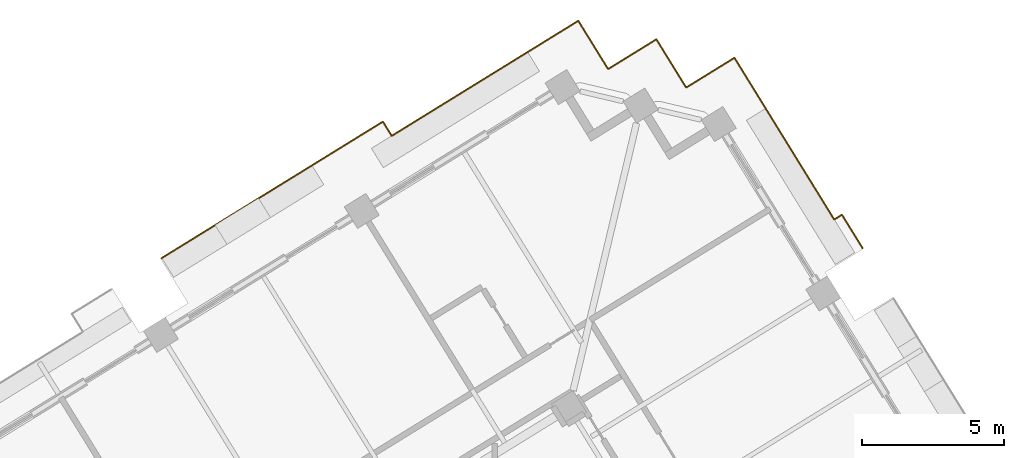
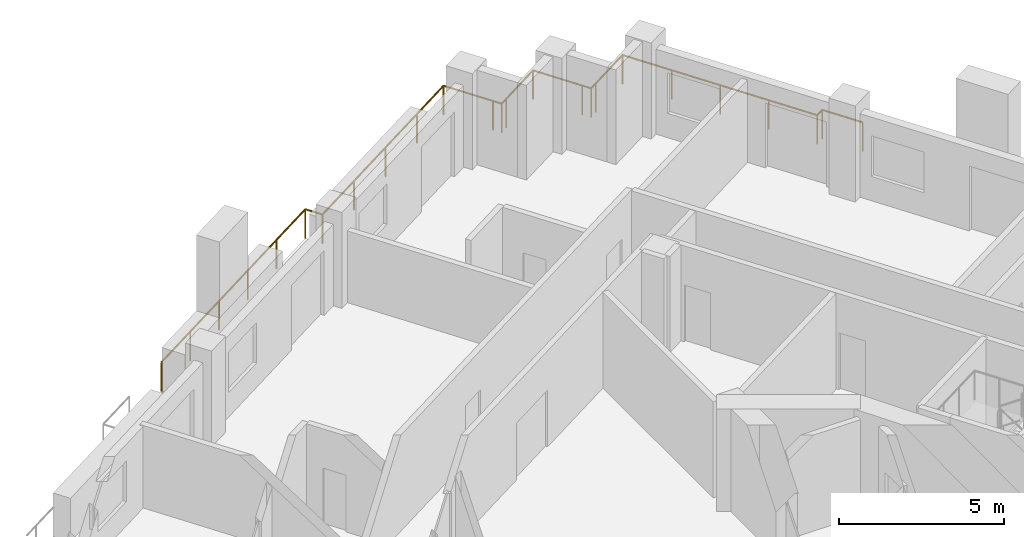
# One storey, part 21 of 22: 2 railings.
"""IFC4 building model written with IfcOpenShell, lengths in metres."""

import ifcopenshell
import ifcopenshell.guid

model = None  # the IFC model being written
_history = None  # IfcOwnerHistory: only IFC2X3 demands one
_inside = {}  # id of a spatial element -> (the spatial element, [elements in it])
_under = {}  # id of a project, library or spatial element -> (it, [spatial elements below it])
_declared = {}  # id of a project -> (the project, [libraries it declares])
_typed = {}  # id of a type object -> (the type object, [elements of that type])
_made_of = {}  # id of a material, layer set ... -> (it, [elements and type objects made of it])


def new_model(schema):
    """Start an empty IFC model of exactly this schema.

    Asked for "IFC4X3", IfcOpenShell would pick the latest addendum, in which some entities
    have other attributes; the version numbers below select the first issue.
    IFC2X3 requires an IfcOwnerHistory on every rooted entity: one is made here for all.
    """
    global model, _history
    if schema == "IFC4X3":
        model = ifcopenshell.file(schema_version=(4, 3, 0, 0))
    else:
        model = ifcopenshell.file(schema=schema)
    _inside.clear()
    _under.clear()
    _declared.clear()
    _typed.clear()
    _made_of.clear()
    _history = None
    if model.schema == "IFC2X3":
        org = make("IfcOrganization", Name="unknown")
        user = make(
            "IfcPersonAndOrganization",
            ThePerson=make("IfcPerson", FamilyName="unknown"),
            TheOrganization=org,
        )
        app = make(
            "IfcApplication",
            ApplicationDeveloper=org,
            Version="unknown",
            ApplicationFullName="unknown",
            ApplicationIdentifier="unknown",
        )
        _history = make(
            "IfcOwnerHistory",
            OwningUser=user,
            OwningApplication=app,
            ChangeAction="ADDED",
            CreationDate=0,
        )
    return model


def make(cls, **values):
    """One entity of the class cls with the attributes given. An attribute that is None is left unset."""
    return model.create_entity(
        cls, **{name: value for name, value in values.items() if value is not None}
    )


def rooted(cls, **values):
    """An entity with a GlobalId (a new one), such as an element, a storey or a relation."""
    return make(cls, GlobalId=ifcopenshell.guid.new(), OwnerHistory=_history, **values)


def si_unit(unit_type, name, prefix=None):
    """IfcSIUnit, for example si_unit("LENGTHUNIT", "METRE", prefix="MILLI")."""
    return make("IfcSIUnit", UnitType=unit_type, Prefix=prefix, Name=name)


def assignment(units):
    """IfcUnitAssignment: the units of a project."""
    return None if units is None else make("IfcUnitAssignment", Units=units)


def point(xyz):
    """IfcCartesianPoint."""
    return None if xyz is None else make("IfcCartesianPoint", Coordinates=xyz)


def direction(xyz):
    """IfcDirection."""
    return None if xyz is None else make("IfcDirection", DirectionRatios=xyz)


def frame(location, z_axis=None, x_axis=None):
    """IfcAxis2Placement3D, a coordinate frame: its origin and axes. An axis left out is left unset."""
    return make(
        "IfcAxis2Placement3D",
        Location=point(location),
        Axis=direction(z_axis),
        RefDirection=direction(x_axis),
    )


def frame_2d(location, x_axis=None):
    """IfcAxis2Placement2D, a coordinate frame in the plane: its origin and x axis."""
    return make(
        "IfcAxis2Placement2D", Location=point(location), RefDirection=direction(x_axis)
    )


def origin():
    """The frame at (0, 0, 0) with its axes left unset."""
    return frame((0.0, 0.0, 0.0))


def origin_2d():
    """The frame at (0, 0) in the plane with its x axis left unset."""
    return frame_2d((0.0, 0.0))


def place(relative_to, where):
    """IfcLocalPlacement: puts the frame where relative to a parent placement (None: the world)."""
    return make(
        "IfcLocalPlacement", PlacementRelTo=relative_to, RelativePlacement=where
    )


def context(
    kind, dimensions, precision=None, world=None, true_north=None, identifier=None
):
    """IfcGeometricRepresentationContext, for example the 3D "Model" context."""
    return make(
        "IfcGeometricRepresentationContext",
        ContextIdentifier=identifier,
        ContextType=kind,
        CoordinateSpaceDimension=dimensions,
        Precision=precision,
        WorldCoordinateSystem=world,
        TrueNorth=true_north,
    )


def subcontext(parent, identifier, kind, view, scale=None):
    """IfcGeometricRepresentationSubContext, for example "Body" below "Model"."""
    return make(
        "IfcGeometricRepresentationSubContext",
        ContextIdentifier=identifier,
        ContextType=kind,
        ParentContext=parent,
        TargetScale=scale,
        TargetView=view,
    )


def project(units=None, contexts=None):
    """IfcProject with its units and contexts."""
    return rooted(
        "IfcProject",
        Name="project",
        RepresentationContexts=contexts,
        UnitsInContext=assignment(units),
    )


def spatial(cls, under=None, at=None, **own):
    """A site, building, storey or space (cls), placed at a placement, below another one or the project."""
    s = rooted(cls, ObjectPlacement=at, **own)
    if under is not None:
        _under.setdefault(under.id(), (under, []))[1].append(s)
    return s


def profile(cls, at=None, kind="AREA", **sizes):
    """A parametric profile (cls). Its sizes go by their IFC names, for example OverallWidth=200.0."""
    return make(cls, ProfileType=kind, Position=at, **sizes)


def circle(**sizes):
    """IfcCircleProfileDef."""
    return profile("IfcCircleProfileDef", **sizes)


def extrude(swept, where, along, depth):
    """IfcExtrudedAreaSolid: the profile swept, set in the frame where, extruded along a direction by depth."""
    return make(
        "IfcExtrudedAreaSolid",
        SweptArea=swept,
        Position=where,
        ExtrudedDirection=direction(along),
        Depth=depth,
    )


def shape(context_of_items, identifier, shape_type, items):
    """IfcShapeRepresentation: the items that make up one representation, for example the "Body"."""
    return make(
        "IfcShapeRepresentation",
        ContextOfItems=context_of_items,
        RepresentationIdentifier=identifier,
        RepresentationType=shape_type,
        Items=items,
    )


def material(Name=None, Category=None):
    """IfcMaterial."""
    return make("IfcMaterial", Name=Name, Category=Category)


def made_of(thing, what):
    """Note that an element or type object is made of a material, layer set ...; save() writes the relation."""
    if what is not None:
        _made_of.setdefault(what.id(), (what, []))[1].append(thing)
    return thing


def type_object(cls, material=None, **own):
    """A type object (cls), such as IfcWallType, which elements share."""
    return made_of(rooted(cls, **own), material)


def element(
    cls,
    number,
    at=None,
    inside=None,
    cuts=None,
    type_object=None,
    material=None,
    context=None,
    identifier="Body",
    shape_type=None,
    held_by="IfcProductDefinitionShape",
    body=None,
    shapes=None,
    **own,
):
    """One element of the class cls, such as IfcWall. Its Tag is "e" and its number.

    at: its placement. inside: the storey or other place that contains it. cuts: it is an
    opening in that element (IfcRelVoidsElement). A single representation is given by context,
    identifier, shape_type and body (its items); several are given by shapes. held_by: the class
    of the entity that holds the representations. save() writes the other relations.
    """
    e = rooted(cls, Tag="e%d" % number, ObjectPlacement=at, **own)
    if body is not None:
        shapes = [shape(context, identifier, shape_type, body)]
    if shapes is not None:
        e.Representation = make(held_by, Representations=shapes)
    if inside is not None:
        _inside.setdefault(inside.id(), (inside, []))[1].append(e)
    if cuts is not None:
        rooted(
            "IfcRelVoidsElement", RelatingBuildingElement=cuts, RelatedOpeningElement=e
        )
    if type_object is not None:
        _typed.setdefault(type_object.id(), (type_object, []))[1].append(e)
    return made_of(e, material)


def aggregate(whole, parts):
    """IfcRelAggregates: a whole, such as a stair, and the parts it consists of."""
    return rooted("IfcRelAggregates", RelatingObject=whole, RelatedObjects=parts)


def save(model, path):
    """Write the relations noted so far, then the file.

    IfcRelAggregates (storeys below a building ...), IfcRelContainedInSpatialStructure (elements
    in a storey), IfcRelDefinesByType, IfcRelAssociatesMaterial and IfcRelDeclares: one each for
    every whole, place, type object, material and project.
    """
    for whole, parts in _under.values():
        aggregate(whole, parts)
    for where, things in _inside.values():
        rooted(
            "IfcRelContainedInSpatialStructure",
            RelatedElements=things,
            RelatingStructure=where,
        )
    for kind, things in _typed.values():
        rooted("IfcRelDefinesByType", RelatedObjects=things, RelatingType=kind)
    for what, things in _made_of.values():
        rooted("IfcRelAssociatesMaterial", RelatedObjects=things, RelatingMaterial=what)
    for by, libraries in _declared.values():
        rooted("IfcRelDeclares", RelatingContext=by, RelatedDefinitions=libraries)
    model.write(path)


model = new_model("IFC4")

# Units and contexts
model_context = context("Model", 3, precision=1e-05, world=origin(), true_north=direction((0.0, 1.0)))
body_context = subcontext(model_context, "Body", "Model", "MODEL_VIEW")
ifc_project = project(units=[si_unit("LENGTHUNIT", "METRE"), si_unit("AREAUNIT", "SQUARE_METRE"), si_unit("VOLUMEUNIT", "CUBIC_METRE"), si_unit("PLANEANGLEUNIT", "RADIAN"), si_unit("MASSUNIT", "GRAM", prefix="KILO")], contexts=[model_context])

# Site, building, storey
site_placement = place(None, origin())
site = spatial("IfcSite", under=ifc_project, at=site_placement, CompositionType="ELEMENT")
building_placement = place(site_placement, origin())
building = spatial("IfcBuilding", under=site, at=building_placement, Name="Cantera Rosa Tower", CompositionType="ELEMENT")
storey_placement = place(building_placement, frame((0.0, 0.0, 166.60009765625)))
storey = spatial("IfcBuildingStorey", under=building, at=storey_placement, Name="L36", CompositionType="ELEMENT", Elevation=166.60009765625)

# Railings
ifc_material = material(Name="Stainless steel and laminated glass", Category="steel")
railing_type = type_object("IfcRailingType", Name="GUARD 1100", PredefinedType="BALUSTRADE", material=ifc_material)
railing_1_placement = place(storey_placement, frame((12.44873046875, 30.2958984375, 0.0)))
element("IfcRailing", 1, at=railing_1_placement, inside=storey, type_object=railing_type, Name="GUARD L36-6", PredefinedType="BALUSTRADE", context=body_context, shape_type="SweptSolid", body=[
    extrude(circle(Radius=0.030029296875, at=origin_2d()), frame((0.0, 0.0, 1.070068359375), z_axis=(0.524994468487, -0.851105638601, 0.0), x_axis=(0.851105638601, 0.524994468487, 0.0)), (0.0, 0.0, 1.0), 1.7001953125),
    extrude(circle(Radius=0.030029296875, at=origin_2d()), frame((0.892578125, -1.447021484375, 1.070068359375), z_axis=(0.524980117429, -0.851114490715, 0.0), x_axis=(0.851114490715, 0.524980117429, 0.0)), (0.0, 0.0, 1.0), 4.998291015625),
    extrude(circle(Radius=0.030029296875, at=origin_2d()), frame((3.5166015625, -5.701171875, 1.070068359375), z_axis=(0.851266981661, 0.524732813852, 0.0), x_axis=(-0.524732813852, 0.851266981661, 0.0)), (0.0, 0.0, 1.0), 0.321533203125),
    extrude(circle(Radius=0.030029296875, at=origin_2d()), frame((3.790283203125, -5.532470703125, 1.070068359375), z_axis=(0.524958614505, -0.851127753664, 0.0), x_axis=(0.851127753664, 0.524958614505, 0.0)), (0.0, 0.0, 1.0), 1.391357421875),
    extrude(circle(Radius=0.02490234375, at=origin_2d()), origin(), (0.0, 0.0, 1.0), 1.0400390625),
    extrude(circle(Radius=0.02490234375, at=origin_2d()), frame((0.892578125, -1.447021484375, 0.0)), (0.0, 0.0, 1.0), 1.0400390625),
    extrude(circle(Radius=0.02490234375, at=origin_2d()), frame((1.767333984375, -2.864990234375, 0.0)), (0.0, 0.0, 1.0), 1.0400390625),
    extrude(circle(Radius=0.02490234375, at=origin_2d()), frame((2.641845703125, -4.283203125, 0.0)), (0.0, 0.0, 1.0), 1.0400390625),
    extrude(circle(Radius=0.02490234375, at=origin_2d()), frame((3.5166015625, -5.701171875, 0.0)), (0.0, 0.0, 1.0), 1.0400390625),
    extrude(circle(Radius=0.02490234375, at=origin_2d()), frame((3.790283203125, -5.532470703125, 0.0)), (0.0, 0.0, 1.0), 1.0400390625),
    extrude(circle(Radius=0.02490234375, at=origin_2d()), frame((4.520751953125, -6.716796875, 0.0)), (0.0, 0.0, 1.0), 1.0400390625),
])
railing_2_placement = place(storey_placement, frame((-7.758056640625, 23.225830078125, 0.0)))
element("IfcRailing", 2, at=railing_2_placement, inside=storey, type_object=railing_type, Name="GUARD L36-7", PredefinedType="BALUSTRADE", context=body_context, shape_type="SweptSolid", body=[
    extrude(circle(Radius=0.030029296875, at=origin_2d()), frame((0.0, 0.0, 1.070068359375), z_axis=(0.851116410295, 0.524977005331, 0.0), x_axis=(-0.524977005331, 0.851116410295, 0.0)), (0.0, 0.0, 1.0), 9.1806640625),
    extrude(circle(Radius=0.030029296875, at=origin_2d()), frame((7.813720703125, 4.819580078125, 1.070068359375), z_axis=(0.525272898225, -0.850933829619, 0.0), x_axis=(0.850933829619, 0.525272898225, 0.0)), (0.0, 0.0, 1.0), 0.5908203125),
    extrude(circle(Radius=0.030029296875, at=origin_2d()), frame((8.1240234375, 4.31689453125, 1.070068359375), z_axis=(0.851111466066, 0.524985021054, 0.0), x_axis=(-0.524985021054, 0.851111466066, 0.0)), (0.0, 0.0, 1.0), 6.029296875),
    extrude(circle(Radius=0.030029296875, at=origin_2d()), frame((13.255615234375, 7.482177734375, 1.070068359375), z_axis=(0.851130227454, 0.524954603669, 0.0), x_axis=(-0.524954603669, 0.851130227454, 0.0)), (0.0, 0.0, 1.0), 1.699951171875),
    extrude(circle(Radius=0.030029296875, at=origin_2d()), frame((14.702392578125, 8.37451171875, 1.070068359375), z_axis=(0.525058638144, -0.851066052965, 0.0), x_axis=(0.851066052965, 0.525058638144, 0.0)), (0.0, 0.0, 1.0), 1.699951171875),
    extrude(circle(Radius=0.030029296875, at=origin_2d()), frame((15.594970703125, 6.927734375, 1.070068359375), z_axis=(0.524869051004, -0.85118298814, 0.0), x_axis=(0.85118298814, 0.524869051004, 0.0)), (0.0, 0.0, 1.0), 0.300048828125),
    extrude(circle(Radius=0.030029296875, at=origin_2d()), frame((15.75244140625, 6.67236328125, 1.070068359375), z_axis=(0.85118298814, 0.524869051004, 0.0), x_axis=(-0.524869051004, 0.85118298814, 0.0)), (0.0, 0.0, 1.0), 0.300048828125),
    extrude(circle(Radius=0.030029296875, at=origin_2d()), frame((16.0078125, 6.829833984375, 1.070068359375), z_axis=(0.851066052965, 0.525058638144, 0.0), x_axis=(-0.525058638144, 0.851066052965, 0.0)), (0.0, 0.0, 1.0), 1.699951171875),
    extrude(circle(Radius=0.030029296875, at=origin_2d()), frame((17.45458984375, 7.722412109375, 1.070068359375), z_axis=(0.524994468487, -0.851105638601, 0.0), x_axis=(0.851105638601, 0.524994468487, 0.0)), (0.0, 0.0, 1.0), 1.7001953125),
    extrude(circle(Radius=0.030029296875, at=origin_2d()), frame((18.34716796875, 6.275390625, 1.070068359375), z_axis=(0.524869051004, -0.85118298814, 0.0), x_axis=(0.85118298814, 0.524869051004, 0.0)), (0.0, 0.0, 1.0), 0.300048828125),
    extrude(circle(Radius=0.030029296875, at=origin_2d()), frame((18.504638671875, 6.02001953125, 1.070068359375), z_axis=(0.85118298814, 0.524869051004, 0.0), x_axis=(-0.524869051004, 0.85118298814, 0.0)), (0.0, 0.0, 1.0), 0.300048828125),
    extrude(circle(Radius=0.030029296875, at=origin_2d()), frame((18.760009765625, 6.177490234375, 1.070068359375), z_axis=(0.851066052965, 0.525058638144, 0.0), x_axis=(-0.525058638144, 0.851066052965, 0.0)), (0.0, 0.0, 1.0), 1.699951171875),
    extrude(circle(Radius=0.02490234375, at=origin_2d()), origin(), (0.0, 0.0, 1.0), 1.0400390625),
    extrude(circle(Radius=0.02490234375, at=origin_2d()), frame((1.562744140625, 0.9638671875, 0.0)), (0.0, 0.0, 1.0), 1.0400390625),
    extrude(circle(Radius=0.02490234375, at=origin_2d()), frame((3.12548828125, 1.927734375, 0.0)), (0.0, 0.0, 1.0), 1.0400390625),
    extrude(circle(Radius=0.02490234375, at=origin_2d()), frame((4.688232421875, 2.891845703125, 0.0)), (0.0, 0.0, 1.0), 1.0400390625),
    extrude(circle(Radius=0.02490234375, at=origin_2d()), frame((6.2509765625, 3.855712890625, 0.0)), (0.0, 0.0, 1.0), 1.0400390625),
    extrude(circle(Radius=0.02490234375, at=origin_2d()), frame((7.813720703125, 4.819580078125, 0.0)), (0.0, 0.0, 1.0), 1.0400390625),
    extrude(circle(Radius=0.02490234375, at=origin_2d()), frame((8.1240234375, 4.31689453125, 0.0)), (0.0, 0.0, 1.0), 1.0400390625),
    extrude(circle(Radius=0.02490234375, at=origin_2d()), frame((9.83447265625, 5.3720703125, 0.0)), (0.0, 0.0, 1.0), 1.0400390625),
    extrude(circle(Radius=0.02490234375, at=origin_2d()), frame((11.545166015625, 6.427001953125, 0.0)), (0.0, 0.0, 1.0), 1.0400390625),
    extrude(circle(Radius=0.02490234375, at=origin_2d()), frame((13.255615234375, 7.482177734375, 0.0)), (0.0, 0.0, 1.0), 1.0400390625),
    extrude(circle(Radius=0.02490234375, at=origin_2d()), frame((14.702392578125, 8.37451171875, 0.0)), (0.0, 0.0, 1.0), 1.0400390625),
    extrude(circle(Radius=0.02490234375, at=origin_2d()), frame((15.594970703125, 6.927734375, 0.0)), (0.0, 0.0, 1.0), 1.0400390625),
    extrude(circle(Radius=0.02490234375, at=origin_2d()), frame((15.75244140625, 6.67236328125, 0.0)), (0.0, 0.0, 1.0), 1.0400390625),
    extrude(circle(Radius=0.02490234375, at=origin_2d()), frame((16.0078125, 6.829833984375, 0.0)), (0.0, 0.0, 1.0), 1.0400390625),
    extrude(circle(Radius=0.02490234375, at=origin_2d()), frame((17.45458984375, 7.722412109375, 0.0)), (0.0, 0.0, 1.0), 1.0400390625),
    extrude(circle(Radius=0.02490234375, at=origin_2d()), frame((18.34716796875, 6.275390625, 0.0)), (0.0, 0.0, 1.0), 1.0400390625),
    extrude(circle(Radius=0.02490234375, at=origin_2d()), frame((18.504638671875, 6.02001953125, 0.0)), (0.0, 0.0, 1.0), 1.0400390625),
    extrude(circle(Radius=0.02490234375, at=origin_2d()), frame((18.760009765625, 6.177490234375, 0.0)), (0.0, 0.0, 1.0), 1.0400390625),
    extrude(circle(Radius=0.02490234375, at=origin_2d()), frame((20.206787109375, 7.070068359375, 0.0)), (0.0, 0.0, 1.0), 1.0400390625),
])

save(model, "model.ifc")
